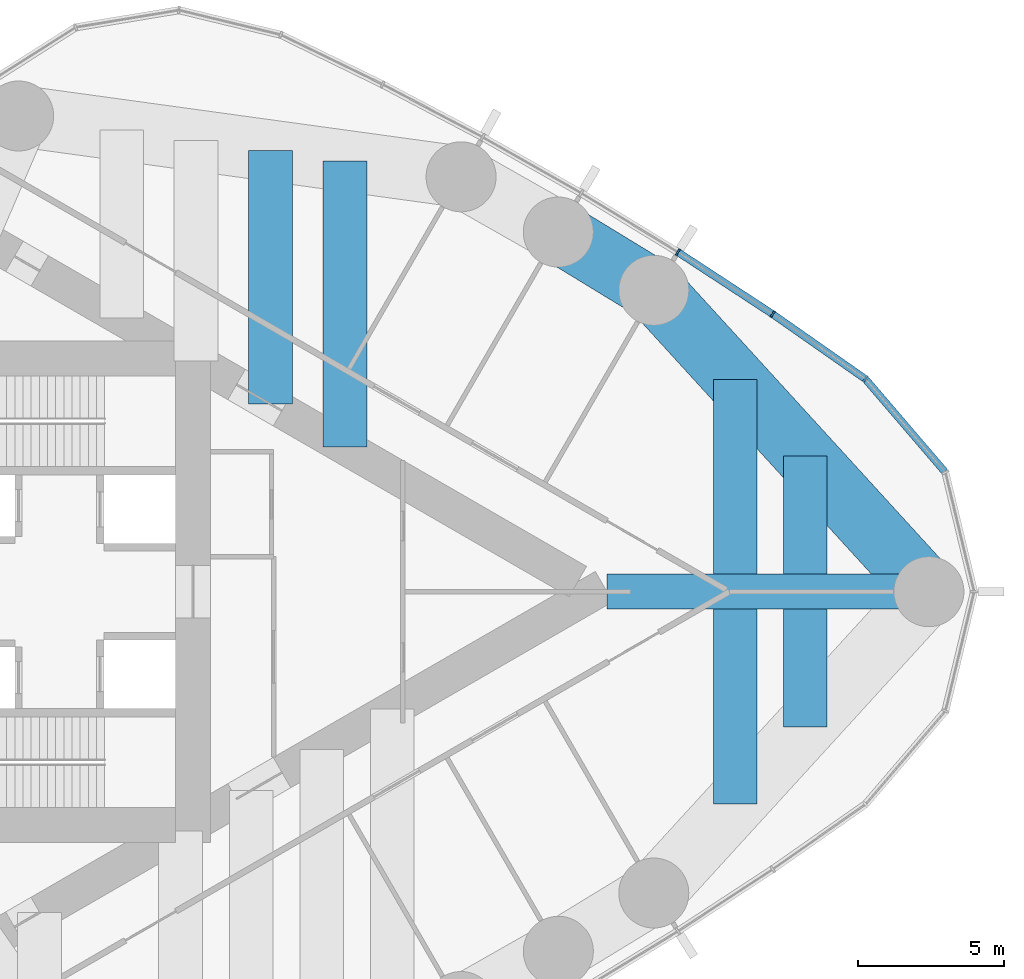
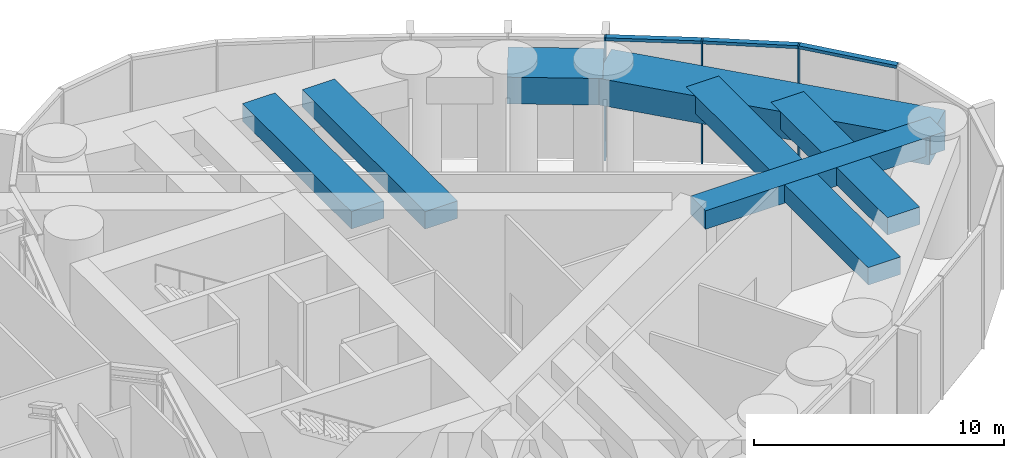
# One storey, part 10 of 21: 9 beams, 6 members, 1 element without a shape of its own.
"""IFC4 building model written with IfcOpenShell, lengths in metres."""

from ifc_helpers import new_model, si_unit, direction, frame, origin, origin_2d, place, context, subcontext, project, spatial, rectangle, extrude, material, material_profile, profile_set, type_object, element, aggregate, save


model = new_model("IFC4")

# Units and contexts
model_context = context("Model", 3, precision=1e-05, world=origin(), true_north=direction((0.0, 1.0)))
body_context = subcontext(model_context, "Body", "Model", "MODEL_VIEW")
ifc_project = project(units=[si_unit("LENGTHUNIT", "METRE"), si_unit("AREAUNIT", "SQUARE_METRE"), si_unit("VOLUMEUNIT", "CUBIC_METRE"), si_unit("PLANEANGLEUNIT", "RADIAN"), si_unit("MASSUNIT", "GRAM", prefix="KILO")], contexts=[model_context])

# Site, building, storey
site_placement = place(None, origin())
site = spatial("IfcSite", under=ifc_project, at=site_placement, CompositionType="ELEMENT")
building_placement = place(site_placement, origin())
building = spatial("IfcBuilding", under=site, at=building_placement, Name="Lancet Gate Hotel", CompositionType="ELEMENT")
storey_placement = place(building_placement, frame((0.0, 0.0, 257.300048828125)))
storey = spatial("IfcBuildingStorey", under=building, at=storey_placement, Name="L68", CompositionType="ELEMENT", Elevation=257.300048828125)

# Curtain wall, members
ifc_material_1 = material(Name="Aluminium curtain wall", Category="aluminium")
curtain_wall_type = type_object("IfcCurtainWallType", Name="Sky deck full-height glazing", PredefinedType="USERDEFINED", material=ifc_material_1)
curtain_wall_placement = place(storey_placement, origin())
curtain_wall = element("IfcCurtainWall", 1, at=curtain_wall_placement, inside=storey, type_object=curtain_wall_type, Name="T2 L68 curtain wall 1", ObjectType="UNITISED CURTAIN WALL", PredefinedType="USERDEFINED")
ifc_material_2 = material(Name="Aluminium mullion", Category="aluminium")
ifc_material_profile_1 = material_profile(ifc_material_2, rectangle(XDim=0.06494140625, YDim=0.25, at=origin_2d()), Name="MULLION 65x250")
ifc_profile_set_1 = profile_set([ifc_material_profile_1], Name="Aluminium mullion")
member_type_1 = type_object("IfcMemberType", Name="Aluminium mullion 65x250", PredefinedType="MULLION", material=ifc_profile_set_1)
member_1_placement = place(storey_placement, frame((60.367431640625, 7.291259765625, 0.0), z_axis=(0.0, 0.0, 1.0), x_axis=(-0.737323173512, 0.675540182226, 0.0)))
member_1 = element("IfcMember", 2, at=member_1_placement, type_object=member_type_1, Name="T2 L68 curtain wall 1 mullion 16", PredefinedType="MULLION", context=body_context, shape_type="SweptSolid", body=[
    extrude(rectangle(XDim=0.06494140625, YDim=0.25, at=origin_2d()), origin(), (0.0, 0.0, 1.0), 6.0),
])
member_2_placement = place(storey_placement, frame((57.185791015625, 9.518310546875, 0.0), z_axis=(0.0, 0.0, 1.0), x_axis=(-0.828154697184, 0.560499596371, 0.0)))
member_2 = element("IfcMember", 3, at=member_2_placement, type_object=member_type_1, Name="T2 L68 curtain wall 1 mullion 17", PredefinedType="MULLION", context=body_context, shape_type="SweptSolid", body=[
    extrude(rectangle(XDim=0.06494140625, YDim=0.25, at=origin_2d()), origin(), (0.0, 0.0, 1.0), 6.0),
])
member_3_placement = place(storey_placement, frame((53.935791015625, 11.644287109375, 0.0), z_axis=(0.0, 0.0, 1.0), x_axis=(-0.845339753513, 0.534229071777, 0.0)))
member_3 = element("IfcMember", 4, at=member_3_placement, type_object=member_type_1, Name="T2 L68 curtain wall 1 mullion 18", PredefinedType="MULLION", context=body_context, shape_type="SweptSolid", body=[
    extrude(rectangle(XDim=0.06494140625, YDim=0.25, at=origin_2d()), origin(), (0.0, 0.0, 1.0), 6.0),
])
ifc_material_3 = material(Name="Aluminium transom", Category="aluminium")
ifc_material_profile_2 = material_profile(ifc_material_3, rectangle(XDim=0.25, YDim=0.14990234375, at=origin_2d()), Name="TRANSOM 250x150")
ifc_profile_set_2 = profile_set([ifc_material_profile_2], Name="Aluminium transom")
member_type_2 = type_object("IfcMemberType", Name="Aluminium transom 250x150", PredefinedType="USERDEFINED", material=ifc_profile_set_2)
member_4_placement = place(storey_placement, frame((63.08544921875, 4.118408203125, 5.925048828125), z_axis=(-0.650592500186, 0.759427019997, 0.0), x_axis=(-0.759427019997, -0.650592500186, 0.0)))
member_4 = element("IfcMember", 5, at=member_4_placement, type_object=member_type_2, Name="T2 L68 curtain wall 1 transom 15", ObjectType="TRANSOM", PredefinedType="USERDEFINED", context=body_context, shape_type="SweptSolid", body=[
    extrude(rectangle(XDim=0.25, YDim=0.14990234375, at=origin_2d()), origin(), (0.0, 0.0, 1.0), 4.1455078125),
])
member_5_placement = place(storey_placement, frame((60.3408203125, 7.31005859375, 5.925048828125), z_axis=(-0.819255948852, 0.573428016642, 0.0), x_axis=(-0.573428016642, -0.819255948852, 0.0)))
member_5 = element("IfcMember", 6, at=member_5_placement, type_object=member_type_2, Name="T2 L68 curtain wall 1 transom 16", ObjectType="TRANSOM", PredefinedType="USERDEFINED", context=body_context, shape_type="SweptSolid", body=[
    extrude(rectangle(XDim=0.25, YDim=0.14990234375, at=origin_2d()), origin(), (0.0, 0.0, 1.0), 3.818603515625),
])
member_6_placement = place(storey_placement, frame((57.158447265625, 9.5361328125, 5.925048828125), z_axis=(-0.836858089593, 0.547419891749, 0.0), x_axis=(-0.547419891749, -0.836858089593, 0.0)))
member_6 = element("IfcMember", 7, at=member_6_placement, type_object=member_type_2, Name="T2 L68 curtain wall 1 transom 17", ObjectType="TRANSOM", PredefinedType="USERDEFINED", context=body_context, shape_type="SweptSolid", body=[
    extrude(rectangle(XDim=0.25, YDim=0.14990234375, at=origin_2d()), origin(), (0.0, 0.0, 1.0), 3.818603515625),
])
aggregate(curtain_wall, [member_1, member_2, member_3, member_4, member_5, member_6])

# Beams
ifc_material_4 = material(Name="Concrete C50/60", Category="concrete")
ifc_material_profile_3 = material_profile(ifc_material_4, rectangle(XDim=2.10009765625, YDim=1.300048828125, at=origin_2d()), Name="RC 2100x1300")
ifc_profile_set_3 = profile_set([ifc_material_profile_3], Name="Concrete C50/60")
beam_type_1 = type_object("IfcBeamType", Name="Edge beam RC 2100x1300", PredefinedType="SPANDREL", material=ifc_profile_set_3)
beam_1_placement = place(storey_placement, frame((62.54150390625, 0.0, 5.099853515625), z_axis=(-0.674209372947, 0.738540263919, 0.0), x_axis=(-0.738540263919, -0.674209372947, 0.0)))
element("IfcBeam", 8, at=beam_1_placement, inside=storey, type_object=beam_type_1, Name="T2 edge beam EB1 L68", PredefinedType="SPANDREL", context=body_context, shape_type="SweptSolid", body=[
    extrude(rectangle(XDim=2.10009765625, YDim=1.300048828125, at=origin_2d()), origin(), (0.0, 0.0, 1.0), 13.992431640625),
])
beam_2_placement = place(storey_placement, frame((53.107666015625, 10.333984375, 5.099853515625), z_axis=(-0.853604257265, 0.520922040212, 0.0), x_axis=(-0.520922040212, -0.853604257265, 0.0)))
element("IfcBeam", 9, at=beam_2_placement, inside=storey, type_object=beam_type_1, Name="T2 edge beam EB1 L68", PredefinedType="SPANDREL", context=body_context, shape_type="SweptSolid", body=[
    extrude(rectangle(XDim=2.10009765625, YDim=1.300048828125, at=origin_2d()), origin(), (0.0, 0.0, 1.0), 3.835205078125),
])
ifc_material_5 = material(Name="Concrete C50/60", Category="concrete")
ifc_material_profile_4 = material_profile(ifc_material_5, rectangle(XDim=1.5, YDim=0.85009765625, at=origin_2d()), Name="RC 1500x850")
ifc_profile_set_4 = profile_set([ifc_material_profile_4], Name="Concrete C50/60")
beam_type_2 = type_object("IfcBeamType", Name="Floor beam RC 1500x850", PredefinedType="BEAM", material=ifc_profile_set_4)
beam_3_placement = place(storey_placement, frame((39.9658203125, 6.429443359375, 5.324951171875), z_axis=(0.0, 1.0, 0.0), x_axis=(-1.0, 0.0, 0.0)))
element("IfcBeam", 10, at=beam_3_placement, inside=storey, type_object=beam_type_2, Name="T2 floor beam F06N L68", PredefinedType="BEAM", context=body_context, shape_type="SweptSolid", body=[
    extrude(rectangle(XDim=1.5, YDim=0.85009765625, at=origin_2d()), origin(), (0.0, 0.0, 1.0), 8.694091796875),
])
beam_4_placement = place(storey_placement, frame((42.51904296875, 4.95556640625, 5.324951171875), z_axis=(0.0, 1.0, 0.0), x_axis=(-1.0, 0.0, 0.0)))
element("IfcBeam", 11, at=beam_4_placement, inside=storey, type_object=beam_type_2, Name="T2 floor beam F08N L68", PredefinedType="BEAM", context=body_context, shape_type="SweptSolid", body=[
    extrude(rectangle(XDim=1.5, YDim=0.85009765625, at=origin_2d()), origin(), (0.0, 0.0, 1.0), 9.817138671875),
])
for number, where, z_axis, x_axis, name in (
    (12, (55.90234375, -7.272705078125, 5.324951171875), (0.0, 1.0, 0.0), (-1.0, 0.0, 0.0), "T2 floor beam F10S L68"),
    (13, (55.90234375, 0.60009765625, 5.324951171875), (0.0, 1.0, 0.0), (-1.0, 0.0, 0.0), "T2 floor beam F11N L68"),
):
    element("IfcBeam", number, at=place(storey_placement, frame(where, z_axis=z_axis, x_axis=x_axis)), inside=storey, type_object=beam_type_2, Name=name, PredefinedType="BEAM", context=body_context, shape_type="SweptSolid", body=[
        extrude(rectangle(XDim=1.5, YDim=0.85009765625, at=origin_2d()), origin(), (0.0, 0.0, 1.0), 6.672607421875),
    ])
for number, where, z_axis, x_axis, name in (
    (14, (58.30224609375, -4.643798828125, 5.324951171875), (0.0, 1.0, 0.0), (-1.0, 0.0, 0.0), "T2 floor beam F12S L68"),
    (15, (58.30224609375, 0.60009765625, 5.324951171875), (0.0, 1.0, 0.0), (-1.0, 0.0, 0.0), "T2 floor beam F13N L68"),
):
    element("IfcBeam", number, at=place(storey_placement, frame(where, z_axis=z_axis, x_axis=x_axis)), inside=storey, type_object=beam_type_2, Name=name, PredefinedType="BEAM", context=body_context, shape_type="SweptSolid", body=[
        extrude(rectangle(XDim=1.5, YDim=0.85009765625, at=origin_2d()), origin(), (0.0, 0.0, 1.0), 4.043701171875),
    ])
ifc_material_6 = material(Name="Concrete C50/60", Category="concrete")
ifc_material_profile_5 = material_profile(ifc_material_6, rectangle(XDim=1.199951171875, YDim=0.89990234375, at=origin_2d()), Name="RC 1200x900")
ifc_profile_set_5 = profile_set([ifc_material_profile_5], Name="Concrete C50/60")
beam_type_3 = type_object("IfcBeamType", Name="Radial floor beam RC 1200x900", PredefinedType="BEAM", material=ifc_profile_set_5)
beam_5_placement = place(storey_placement, frame((62.54150390625, 0.0, 5.300048828125), z_axis=(-1.0, 0.0, 0.0), x_axis=(0.0, -1.0, 0.0)))
element("IfcBeam", 16, at=beam_5_placement, inside=storey, type_object=beam_type_3, Name="T2 radial beam CA L68", PredefinedType="BEAM", context=body_context, shape_type="SweptSolid", body=[
    extrude(rectangle(XDim=1.199951171875, YDim=0.89990234375, at=origin_2d()), origin(), (0.0, 0.0, 1.0), 11.039306640625),
])

save(model, "model.ifc")
